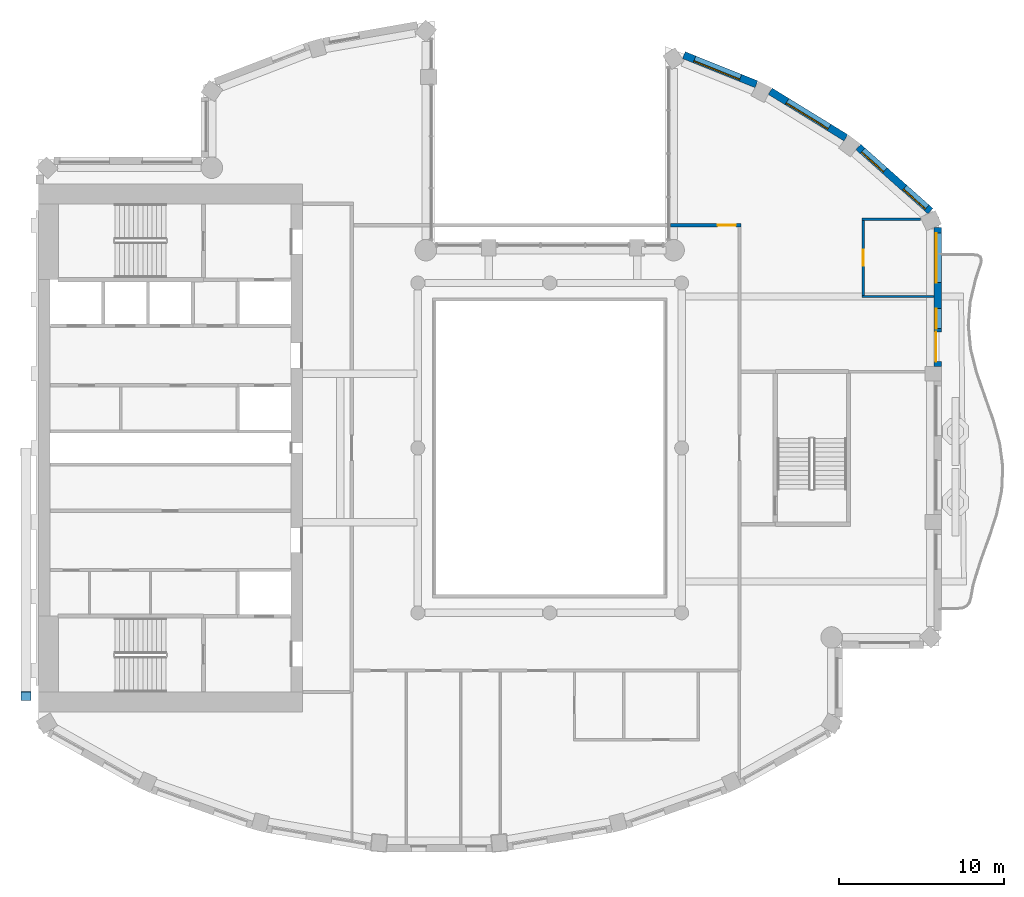
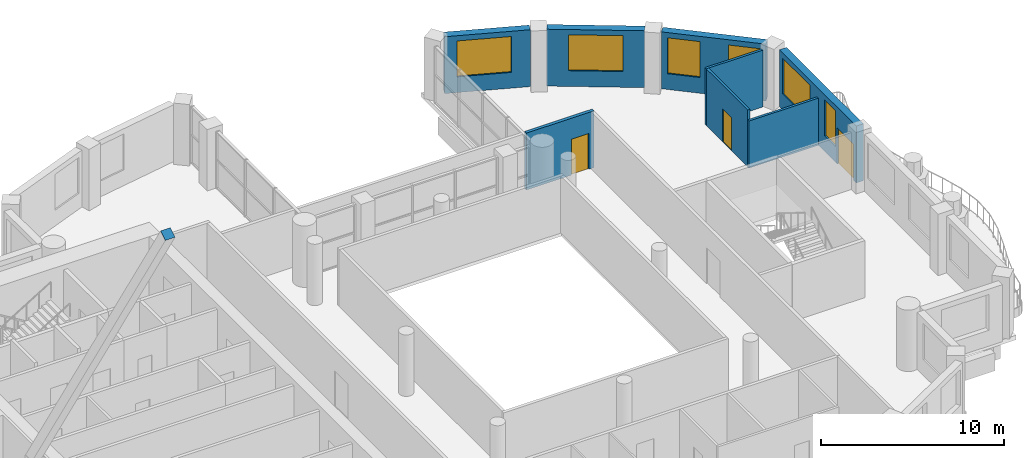
# One storey, part 7 of 15: 8 walls, 6 windows, 3 doors, 1 discrete accessory, 9 openings.
"""IFC4 building model written with IfcOpenShell, lengths in metres."""

from ifc_helpers import new_model, si_unit, direction, frame, frame_2d, origin, origin_2d, place, context, subcontext, project, spatial, rectangle, extrude, material, layer, layer_set, material_profile, profile_set, type_object, element, fill, save


model = new_model("IFC4")

# Units and contexts
model_context = context("Model", 3, precision=1e-05, world=origin(), true_north=direction((0.0, 1.0)))
body_context = subcontext(model_context, "Body", "Model", "MODEL_VIEW")
ifc_project = project(units=[si_unit("LENGTHUNIT", "METRE"), si_unit("AREAUNIT", "SQUARE_METRE"), si_unit("VOLUMEUNIT", "CUBIC_METRE"), si_unit("PLANEANGLEUNIT", "RADIAN"), si_unit("MASSUNIT", "GRAM", prefix="KILO")], contexts=[model_context])

# Site, building, storey
site_placement = place(None, origin())
site = spatial("IfcSite", under=ifc_project, at=site_placement, CompositionType="ELEMENT")
building_placement = place(site_placement, origin())
building = spatial("IfcBuilding", under=site, at=building_placement, Name="Cypress Arch Tower", CompositionType="ELEMENT")
storey_placement = place(building_placement, frame((0.0, 0.0, 259.800048828125)))
storey = spatial("IfcBuildingStorey", under=building, at=storey_placement, Name="L58", CompositionType="ELEMENT", Elevation=259.800048828125)

# Wall, openings, door, windows
ifc_material_1 = material(Name="Brick (red buff blend)", Category="masonry")
ifc_layer_1 = layer(ifc_material_1, 0.449951171875)
ifc_layer_set_1 = layer_set([ifc_layer_1], Name="Brick pier and spandrel wall BW450")
wall_type_1 = type_object("IfcWallType", Name="Brick pier and spandrel wall BW450", PredefinedType="SOLIDWALL", material=ifc_layer_set_1)
wall_1_placement = place(storey_placement, frame((24.52490234375, 4.949951171875, 0.0), z_axis=(0.0, 0.0, 1.0), x_axis=(0.0, 1.0, 0.0)))
wall_1 = element("IfcWall", 1, at=wall_1_placement, inside=storey, type_object=wall_type_1, Name="Brick wall L58 C17.2", PredefinedType="SOLIDWALL", context=body_context, shape_type="SweptSolid", body=[
    extrude(rectangle(XDim=8.421875, YDim=0.449951171875, at=frame_2d((4.2109375, 0.0))), origin(), (0.0, 0.0, 1.0), 3.800048828125),
])
opening_1_placement = place(wall_1_placement, frame((0.291259765625, 0.0, 0.0)))
opening_1 = element("IfcOpeningElement", 2, at=opening_1_placement, cuts=wall_1, Name="Opening D-L58-C17.2.1", PredefinedType="OPENING", context=body_context, shape_type="SweptSolid", body=[
    extrude(rectangle(XDim=1.800048828125, YDim=2.39990234375, at=frame_2d((0.89990234375, 1.199951171875))), frame((0.0, 0.23486328125, 0.0), z_axis=(0.0, -1.0, 0.0), x_axis=(1.0, 0.0, 0.0)), (0.0, 0.0, 1.0), 0.469970703125),
])
opening_2_placement = place(wall_1_placement, frame((2.291259765625, 0.0, 1.050048828125)))
opening_2 = element("IfcOpeningElement", 3, at=opening_2_placement, cuts=wall_1, Name="Opening W120OD", PredefinedType="OPENING", context=body_context, shape_type="SweptSolid", body=[
    extrude(rectangle(XDim=1.199951171875, YDim=2.39990234375, at=frame_2d((0.60009765625, 1.199951171875))), frame((0.0, 0.23486328125, 0.0), z_axis=(0.0, -1.0, 0.0), x_axis=(1.0, 0.0, 0.0)), (0.0, 0.0, 1.0), 0.469970703125),
])
opening_3_placement = place(wall_1_placement, frame((5.073974609375, 0.0, 1.050048828125)))
opening_3 = element("IfcOpeningElement", 4, at=opening_3_placement, cuts=wall_1, Name="Opening W300OD", PredefinedType="OPENING", context=body_context, shape_type="SweptSolid", body=[
    extrude(rectangle(XDim=3.0, YDim=2.39990234375, at=frame_2d((1.5, 1.199951171875))), frame((0.0, 0.23486328125, 0.0), z_axis=(0.0, -1.0, 0.0), x_axis=(1.0, 0.0, 0.0)), (0.0, 0.0, 1.0), 0.469970703125),
])
ifc_material_2 = material(Name="Anodised aluminium, bronze finish, laminated low-emissivity double glazing, large-missile impact rated", Category="aluminium")
door_type_1 = type_object("IfcDoorType", Name="Balcony sliding door 1800x2400", OperationType="SLIDING_TO_LEFT", PredefinedType="DOOR", material=ifc_material_2)
door_1_placement = place(opening_1_placement, origin())
door_1 = element("IfcDoor", 5, at=door_1_placement, inside=storey, type_object=door_type_1, Name="Balcony door L58 C17.2.1", OperationType="SLIDING_TO_LEFT", OverallHeight=2.39990234375, OverallWidth=1.800048828125, PredefinedType="DOOR", context=body_context, shape_type="SweptSolid", body=[
    extrude(rectangle(XDim=1.800048828125, YDim=2.39990234375, at=frame_2d((0.89990234375, 1.199951171875))), frame((0.0, 0.1298828125, 0.0), z_axis=(0.0, -1.0, 0.0), x_axis=(1.0, 0.0, 0.0)), (0.0, 0.0, 1.0), 0.050048828125),
])
fill(opening_1, door_1)
ifc_material_3 = material(Name="Anodised aluminium, bronze finish, laminated low-emissivity double glazing, large-missile impact rated", Category="aluminium")
window_type_1 = type_object("IfcWindowType", Name="Window Office 1200x2400 debris-rated", PartitioningType="SINGLE_PANEL", PredefinedType="WINDOW", material=ifc_material_3)
window_1_placement = place(opening_2_placement, origin())
window_1 = element("IfcWindow", 6, at=window_1_placement, inside=storey, type_object=window_type_1, Name="Window L58 C17.2.1", OverallHeight=2.39990234375, OverallWidth=1.199951171875, PartitioningType="SINGLE_PANEL", PredefinedType="WINDOW", context=body_context, shape_type="SweptSolid", body=[
    extrude(rectangle(XDim=1.199951171875, YDim=2.39990234375, at=frame_2d((0.60009765625, 1.199951171875))), frame((0.0, 0.135009765625, 0.0), z_axis=(0.0, -1.0, 0.0), x_axis=(1.0, 0.0, 0.0)), (0.0, 0.0, 1.0), 0.06005859375),
])
fill(opening_2, window_1)
ifc_material_4 = material(Name="Anodised aluminium, bronze finish, laminated low-emissivity double glazing, large-missile impact rated", Category="aluminium")
window_type_2 = type_object("IfcWindowType", Name="Window Office 3000x2400 debris-rated", PartitioningType="SINGLE_PANEL", PredefinedType="WINDOW", material=ifc_material_4)
window_2_placement = place(opening_3_placement, origin())
window_2 = element("IfcWindow", 7, at=window_2_placement, inside=storey, type_object=window_type_2, Name="Window L58 C17.2.2", OverallHeight=2.39990234375, OverallWidth=3.0, PartitioningType="SINGLE_PANEL", PredefinedType="WINDOW", context=body_context, shape_type="SweptSolid", body=[
    extrude(rectangle(XDim=3.0, YDim=2.39990234375, at=frame_2d((1.5, 1.199951171875))), frame((0.0, 0.135009765625, 0.0), z_axis=(0.0, -1.0, 0.0), x_axis=(1.0, 0.0, 0.0)), (0.0, 0.0, 1.0), 0.06005859375),
])
fill(opening_3, window_2)

# Wall, openings, windows
wall_2_placement = place(storey_placement, frame((24.08056640625, 14.361083984375, 0.0), z_axis=(0.0, 0.0, 1.0), x_axis=(-0.747570482973, 0.664182484704, 0.0)))
wall_2 = element("IfcWall", 8, at=wall_2_placement, inside=storey, type_object=wall_type_1, Name="Brick wall L58 C18.0", PredefinedType="SOLIDWALL", context=body_context, shape_type="SweptSolid", body=[
    extrude(rectangle(XDim=5.849609375, YDim=0.449951171875, at=frame_2d((2.9248046875, 0.0))), origin(), (0.0, 0.0, 1.0), 3.800048828125),
])
opening_4_placement = place(wall_2_placement, frame((0.305419921875, 0.0, 1.050048828125)))
opening_4 = element("IfcOpeningElement", 9, at=opening_4_placement, cuts=wall_2, Name="Opening W180O", PredefinedType="OPENING", context=body_context, shape_type="SweptSolid", body=[
    extrude(rectangle(XDim=1.800048828125, YDim=2.39990234375, at=frame_2d((0.89990234375, 1.199951171875))), frame((0.0, 0.23486328125, 0.0), z_axis=(0.0, -1.0, 0.0), x_axis=(1.0, 0.0, 0.0)), (0.0, 0.0, 1.0), 0.469970703125),
])
opening_5_placement = place(wall_2_placement, frame((3.702880859375, 0.0, 1.050048828125)))
opening_5 = element("IfcOpeningElement", 10, at=opening_5_placement, cuts=wall_2, Name="Opening W180O", PredefinedType="OPENING", context=body_context, shape_type="SweptSolid", body=[
    extrude(rectangle(XDim=1.800048828125, YDim=2.39990234375, at=frame_2d((0.89990234375, 1.199951171875))), frame((0.0, 0.23486328125, 0.0), z_axis=(0.0, -1.0, 0.0), x_axis=(1.0, 0.0, 0.0)), (0.0, 0.0, 1.0), 0.469970703125),
])
ifc_material_5 = material(Name="Anodised aluminium, bronze finish, clear low-emissivity double glazing", Category="aluminium")
window_type_3 = type_object("IfcWindowType", Name="Window Office 1800x2400", PartitioningType="SINGLE_PANEL", PredefinedType="WINDOW", material=ifc_material_5)
window_3_placement = place(opening_4_placement, origin())
window_3 = element("IfcWindow", 11, at=window_3_placement, inside=storey, type_object=window_type_3, Name="Window L58 C18.0.1", OverallHeight=2.39990234375, OverallWidth=1.800048828125, PartitioningType="SINGLE_PANEL", PredefinedType="WINDOW", context=body_context, shape_type="SweptSolid", body=[
    extrude(rectangle(XDim=1.800048828125, YDim=2.39990234375, at=frame_2d((0.89990234375, 1.199951171875))), frame((0.0, 0.135009765625, 0.0), z_axis=(0.0, -1.0, 0.0), x_axis=(1.0, 0.0, 0.0)), (0.0, 0.0, 1.0), 0.06005859375),
])
fill(opening_4, window_3)
window_4_placement = place(opening_5_placement, origin())
window_4 = element("IfcWindow", 12, at=window_4_placement, inside=storey, type_object=window_type_3, Name="Window L58 C18.0.2", OverallHeight=2.39990234375, OverallWidth=1.800048828125, PartitioningType="SINGLE_PANEL", PredefinedType="WINDOW", context=body_context, shape_type="SweptSolid", body=[
    extrude(rectangle(XDim=1.800048828125, YDim=2.39990234375, at=frame_2d((0.89990234375, 1.199951171875))), frame((0.0, 0.135009765625, 0.0), z_axis=(0.0, -1.0, 0.0), x_axis=(1.0, 0.0, 0.0)), (0.0, 0.0, 1.0), 0.06005859375),
])
fill(opening_5, window_4)

# Wall, opening, window
wall_3_placement = place(storey_placement, frame((18.953369140625, 18.806396484375, 0.0), z_axis=(0.0, 0.0, 1.0), x_axis=(-0.851860664503, 0.523768468193, 0.0)))
wall_3 = element("IfcWall", 13, at=wall_3_placement, inside=storey, type_object=wall_type_1, Name="Brick wall L58 C19.0", PredefinedType="SOLIDWALL", context=body_context, shape_type="SweptSolid", body=[
    extrude(rectangle(XDim=5.3837890625, YDim=0.449951171875, at=frame_2d((2.69189453125, 0.0))), origin(), (0.0, 0.0, 1.0), 3.800048828125),
])
opening_6_placement = place(wall_3_placement, frame((1.19189453125, 0.0, 1.050048828125)))
opening_6 = element("IfcOpeningElement", 14, at=opening_6_placement, cuts=wall_3, Name="Opening W300O", PredefinedType="OPENING", context=body_context, shape_type="SweptSolid", body=[
    extrude(rectangle(XDim=3.0, YDim=2.39990234375, at=frame_2d((1.5, 1.199951171875))), frame((0.0, 0.23486328125, 0.0), z_axis=(0.0, -1.0, 0.0), x_axis=(1.0, 0.0, 0.0)), (0.0, 0.0, 1.0), 0.469970703125),
])
ifc_material_6 = material(Name="Anodised aluminium, bronze finish, clear low-emissivity double glazing", Category="aluminium")
window_type_4 = type_object("IfcWindowType", Name="Window Office 3000x2400", PartitioningType="SINGLE_PANEL", PredefinedType="WINDOW", material=ifc_material_6)
window_5_placement = place(opening_6_placement, origin())
window_5 = element("IfcWindow", 15, at=window_5_placement, inside=storey, type_object=window_type_4, Name="Window L58 C19.0.1", OverallHeight=2.39990234375, OverallWidth=3.0, PartitioningType="SINGLE_PANEL", PredefinedType="WINDOW", context=body_context, shape_type="SweptSolid", body=[
    extrude(rectangle(XDim=3.0, YDim=2.39990234375, at=frame_2d((1.5, 1.199951171875))), frame((0.0, 0.135009765625, 0.0), z_axis=(0.0, -1.0, 0.0), x_axis=(1.0, 0.0, 0.0)), (0.0, 0.0, 1.0), 0.06005859375),
])
fill(opening_6, window_5)

wall_4_placement = place(storey_placement, frame((13.529296875, 22.04833984375, 0.0), z_axis=(0.0, 0.0, 1.0), x_axis=(-0.927957332619, 0.372686448424, 0.0)))
wall_4 = element("IfcWall", 16, at=wall_4_placement, inside=storey, type_object=wall_type_1, Name="Brick wall L58 C20.0", PredefinedType="SOLIDWALL", context=body_context, shape_type="SweptSolid", body=[
    extrude(rectangle(XDim=4.741455078125, YDim=0.449951171875, at=frame_2d((2.37060546875, 0.0))), origin(), (0.0, 0.0, 1.0), 3.800048828125),
])
opening_7_placement = place(wall_4_placement, frame((1.046630859375, 0.0, 1.050048828125)))
opening_7 = element("IfcOpeningElement", 17, at=opening_7_placement, cuts=wall_4, Name="Opening W300O", PredefinedType="OPENING", context=body_context, shape_type="SweptSolid", body=[
    extrude(rectangle(XDim=3.0, YDim=2.39990234375, at=frame_2d((1.5, 1.199951171875))), frame((0.0, 0.23486328125, 0.0), z_axis=(0.0, -1.0, 0.0), x_axis=(1.0, 0.0, 0.0)), (0.0, 0.0, 1.0), 0.469970703125),
])
window_6_placement = place(opening_7_placement, origin())
window_6 = element("IfcWindow", 18, at=window_6_placement, inside=storey, type_object=window_type_4, Name="Window L58 C20.0.1", OverallHeight=2.39990234375, OverallWidth=3.0, PartitioningType="SINGLE_PANEL", PredefinedType="WINDOW", context=body_context, shape_type="SweptSolid", body=[
    extrude(rectangle(XDim=3.0, YDim=2.39990234375, at=frame_2d((1.5, 1.199951171875))), frame((0.0, 0.135009765625, 0.0), z_axis=(0.0, -1.0, 0.0), x_axis=(1.0, 0.0, 0.0)), (0.0, 0.0, 1.0), 0.06005859375),
])
fill(opening_7, window_6)

# Wall, opening, door
ifc_material_7 = material(Name="Concrete blockwork, plastered, rated", Category="masonry")
ifc_layer_2 = layer(ifc_material_7, 0.199951171875)
ifc_layer_set_2 = layer_set([ifc_layer_2], Name="Corridor wall FW200")
wall_type_2 = type_object("IfcWallType", Name="Corridor wall FW200", PredefinedType="PARTITIONING", material=ifc_layer_set_2)
wall_5_placement = place(storey_placement, frame((8.330078125, 13.5, 0.0), z_axis=(0.0, 0.0, 1.0), x_axis=(1.0, 0.0, 0.0)))
wall_5 = element("IfcWall", 19, at=wall_5_placement, inside=storey, type_object=wall_type_2, Name="Corridor wall", PredefinedType="PARTITIONING", context=body_context, shape_type="SweptSolid", body=[
    extrude(rectangle(XDim=4.27001953125, YDim=0.199951171875, at=frame_2d((2.135009765625, 0.0))), origin(), (0.0, 0.0, 1.0), 3.800048828125),
])
opening_8_placement = place(wall_5_placement, frame((2.85009765625, 0.0, 0.0)))
opening_8 = element("IfcOpeningElement", 20, at=opening_8_placement, cuts=wall_5, Name="Opening D01", PredefinedType="OPENING", context=body_context, shape_type="SweptSolid", body=[
    extrude(rectangle(XDim=1.10009765625, YDim=2.39990234375, at=frame_2d((0.550048828125, 1.199951171875))), frame((0.0, 0.10986328125, 0.0), z_axis=(0.0, -1.0, 0.0), x_axis=(1.0, 0.0, 0.0)), (0.0, 0.0, 1.0), 0.219970703125),
])
ifc_material_8 = material(Name="Timber flush door, fire resisting, self-closing", Category="wood")
door_type_2 = type_object("IfcDoorType", Name="Unit entrance door D01 1100x2400", OperationType="SINGLE_SWING_LEFT", PredefinedType="DOOR", material=ifc_material_8)
door_2_placement = place(opening_8_placement, origin())
door_2 = element("IfcDoor", 21, at=door_2_placement, inside=storey, type_object=door_type_2, Name="Unit entrance door", OperationType="SINGLE_SWING_RIGHT", OverallHeight=2.39990234375, OverallWidth=1.10009765625, PredefinedType="DOOR", context=body_context, shape_type="SweptSolid", body=[
    extrude(rectangle(XDim=1.10009765625, YDim=2.39990234375, at=frame_2d((0.550048828125, 1.199951171875))), frame((0.0, 0.02490234375, 0.0), z_axis=(0.0, -1.0, 0.0), x_axis=(1.0, 0.0, 0.0)), (0.0, 0.0, 1.0), 0.050048828125),
])
fill(opening_8, door_2)

ifc_material_9 = material(Name="Blockwork, plastered both sides", Category="masonry")
ifc_layer_3 = layer(ifc_material_9, 0.14990234375)
ifc_layer_set_3 = layer_set([ifc_layer_3], Name="Partition PW150")
wall_type_3 = type_object("IfcWallType", Name="Partition PW150", PredefinedType="PARTITIONING", material=ifc_layer_set_3)
wall_6_placement = place(storey_placement, frame((20.0, 9.258056640625, 0.0), z_axis=(0.0, 0.0, 1.0), x_axis=(0.0, 1.0, 0.0)))
wall_6 = element("IfcWall", 22, at=wall_6_placement, inside=storey, type_object=wall_type_3, Name="Partition", PredefinedType="PARTITIONING", context=body_context, shape_type="SweptSolid", body=[
    extrude(rectangle(XDim=4.531982421875, YDim=0.14990234375, at=frame_2d((2.26611328125, 0.0))), origin(), (0.0, 0.0, 1.0), 3.800048828125),
])
opening_9_placement = place(wall_6_placement, frame((1.800048828125, 0.0, 0.0)))
opening_9 = element("IfcOpeningElement", 23, at=opening_9_placement, cuts=wall_6, Name="Opening D12", PredefinedType="OPENING", context=body_context, shape_type="SweptSolid", body=[
    extrude(rectangle(XDim=0.949951171875, YDim=2.199951171875, at=frame_2d((0.47509765625, 1.10009765625))), frame((0.0, 0.0849609375, 0.0), z_axis=(0.0, -1.0, 0.0), x_axis=(1.0, 0.0, 0.0)), (0.0, 0.0, 1.0), 0.169921875),
])
ifc_material_10 = material(Name="Timber flush door", Category="wood")
door_type_3 = type_object("IfcDoorType", Name="Room door D12 950x2200", OperationType="SINGLE_SWING_LEFT", PredefinedType="DOOR", material=ifc_material_10)
door_3_placement = place(opening_9_placement, origin())
door_3 = element("IfcDoor", 24, at=door_3_placement, inside=storey, type_object=door_type_3, Name="Room door", OperationType="SINGLE_SWING_RIGHT", OverallHeight=2.199951171875, OverallWidth=0.949951171875, PredefinedType="DOOR", context=body_context, shape_type="SweptSolid", body=[
    extrude(rectangle(XDim=0.949951171875, YDim=2.199951171875, at=frame_2d((0.47509765625, 1.10009765625))), frame((0.0, 0.02490234375, 0.0), z_axis=(0.0, -1.0, 0.0), x_axis=(1.0, 0.0, 0.0)), (0.0, 0.0, 1.0), 0.050048828125),
])
fill(opening_9, door_3)

# Walls
wall_7_placement = place(storey_placement, frame((19.925048828125, 9.18310546875, 0.0), z_axis=(0.0, 0.0, 1.0), x_axis=(1.0, 0.0, 0.0)))
element("IfcWall", 25, at=wall_7_placement, inside=storey, type_object=wall_type_3, Name="Partition", PredefinedType="PARTITIONING", context=body_context, shape_type="SweptSolid", body=[
    extrude(rectangle(XDim=4.375, YDim=0.14990234375, at=frame_2d((2.1875, 0.0))), origin(), (0.0, 0.0, 1.0), 3.14990234375),
])
wall_8_placement = place(storey_placement, frame((19.925048828125, 13.864990234375, 0.0), z_axis=(0.0, 0.0, 1.0), x_axis=(1.0, 0.0, 0.0)))
element("IfcWall", 26, at=wall_8_placement, inside=storey, type_object=wall_type_3, Name="Partition", PredefinedType="PARTITIONING", context=body_context, shape_type="SweptSolid", body=[
    extrude(rectangle(XDim=3.568115234375, YDim=0.14990234375, at=frame_2d((1.7841796875, 0.0))), origin(), (0.0, 0.0, 1.0), 3.800048828125),
])

# Discrete accessory
ifc_material_11 = material(Name="Steel ASTM A992", Category="steel")
ifc_material_profile = material_profile(ifc_material_11, rectangle(XDim=0.609619140625, YDim=0.609619140625, at=origin_2d()), Name="PL 20 610x610")
ifc_profile_set = profile_set([ifc_material_profile], Name="Steel ASTM A992")
discrete_accessory_type = type_object("IfcDiscreteAccessoryType", Name="End cap plate 610x610x20 Steel ASTM A992", PredefinedType="ANCHORPLATE", material=ifc_profile_set)
discrete_accessory_placement = place(storey_placement, frame((-30.7548828125, -15.036376953125, 27.9765625), z_axis=(0.0, -0.528892886439, 0.848688585215), x_axis=(1.0, 0.0, 0.0)))
element("IfcDiscreteAccessory", 27, at=discrete_accessory_placement, inside=storey, type_object=discrete_accessory_type, Name="End cap plate west bracing 5", PredefinedType="ANCHORPLATE", context=body_context, shape_type="SweptSolid", body=[
    extrude(rectangle(XDim=0.609619140625, YDim=0.609619140625, at=origin_2d()), origin(), (0.0, 0.0, 1.0), 0.019775390625),
])

save(model, "model.ifc")
